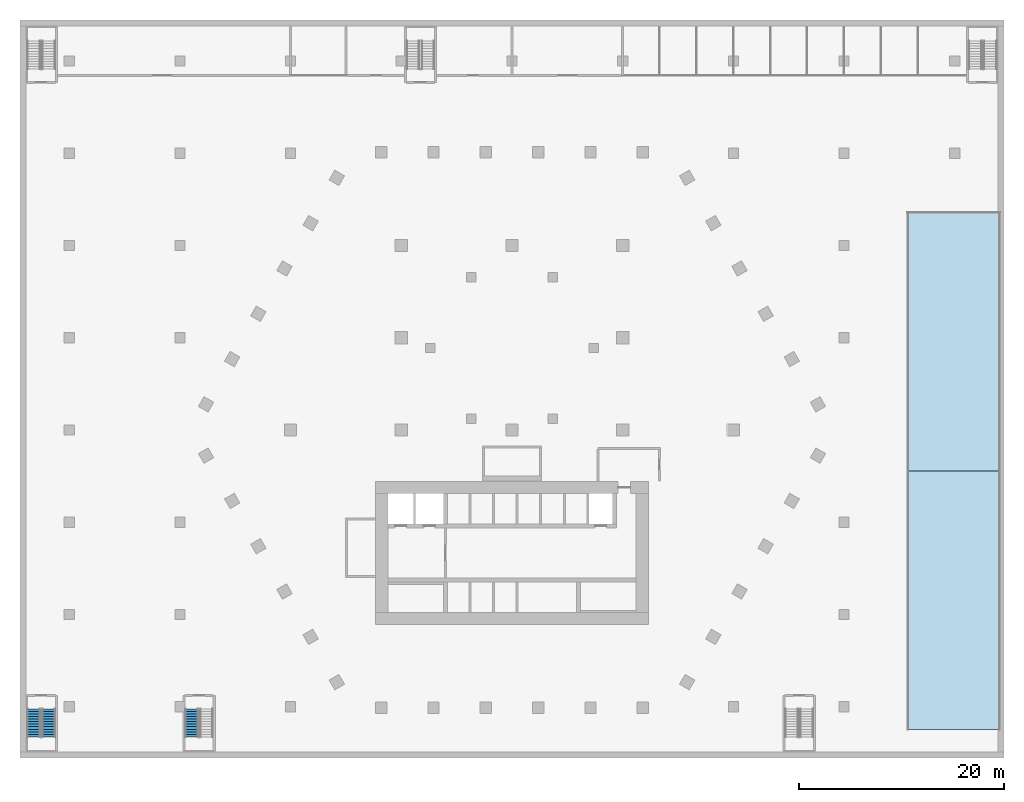
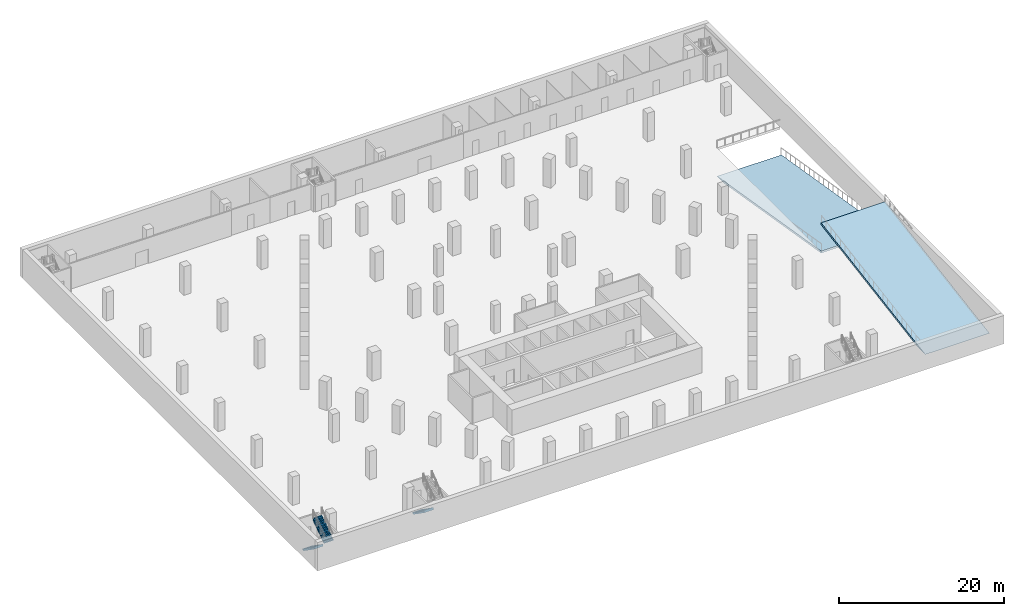
# One storey, part 11 of 20: 3 stair flights, 2 slabs, 2 elements without a shape of their own.
"""IFC4 building model written with IfcOpenShell, lengths in metres."""

from ifc_helpers import new_model, si_unit, direction, frame, origin, place, context, subcontext, project, spatial, triangles, material, layer, layer_set, type_object, element, aggregate, save


model = new_model("IFC4")

# Units and contexts
model_context = context("Model", 3, precision=1e-05, world=origin(), true_north=direction((0.0, 1.0)))
body_context = subcontext(model_context, "Body", "Model", "MODEL_VIEW")
ifc_project = project(units=[si_unit("LENGTHUNIT", "METRE"), si_unit("AREAUNIT", "SQUARE_METRE"), si_unit("VOLUMEUNIT", "CUBIC_METRE"), si_unit("PLANEANGLEUNIT", "RADIAN"), si_unit("MASSUNIT", "GRAM", prefix="KILO")], contexts=[model_context])

# Site, building, storey
site_placement = place(None, origin())
site = spatial("IfcSite", under=ifc_project, at=site_placement, CompositionType="ELEMENT")
building_placement = place(site_placement, origin())
building = spatial("IfcBuilding", under=site, at=building_placement, Name="Beryl Residences", CompositionType="ELEMENT")
storey_placement = place(building_placement, frame((0.0, 0.0, -4.199951171875)))
storey = spatial("IfcBuildingStorey", under=building, at=storey_placement, Name="B1", CompositionType="ELEMENT", Elevation=-4.199951171875)

# Slabs
ifc_material_1 = material(Name="Concrete C40/50", Category="concrete")
ifc_layer = layer(ifc_material_1, 0.300048828125)
ifc_layer_set = layer_set([ifc_layer], Name="RS1 vehicle ramp slab 300 mm C40/50")
slab_type = type_object("IfcSlabType", Name="RS1 vehicle ramp slab 300 mm C40/50", PredefinedType="FLOOR", material=ifc_layer_set)
for number, where, z_axis, x_axis, name in (
    (1, (43.10009765625, -4.0, 4.199951171875), (0.0, 0.0, 1.0), (0.0, -1.0, 0.0), "B1 vehicle ramp slab RA"),
    (2, (43.10009765625, -4.0, 0.0), (0.0, 0.0, 1.0), (0.0, 1.0, 0.0), "B1 vehicle ramp slab RB"),
):
    element("IfcSlab", number, at=place(storey_placement, frame(where, z_axis=z_axis, x_axis=x_axis)), inside=storey, type_object=slab_type, Name=name, PredefinedType="FLOOR", context=body_context, shape_type="Tessellation", body=[
        triangles([(0.0, -4.5, 0.0), (0.0, -2.25, 0.0), (0.0, 0.0, 0.0), (0.0, 2.25, 0.0), (0.0, 4.5, 0.0), (25.199951171875, -4.5, -4.199951171875), (25.199951171875, -2.25, -4.199951171875), (25.199951171875, 0.0, -4.199951171875), (25.199951171875, 2.25, -4.199951171875), (25.199951171875, 4.5, -4.199951171875), (23.399658203125, -4.5, -4.199951171875), (23.399658203125, -2.25, -4.199951171875), (23.399658203125, 0.0, -4.199951171875), (23.399658203125, 2.25, -4.199951171875), (23.399658203125, 4.5, -4.199951171875), (0.0, -4.5, -0.300048828125), (0.0, -2.25, -0.300048828125), (0.0, 0.0, -0.300048828125), (0.0, 2.25, -0.300048828125), (0.0, 4.5, -0.300048828125)], [[1, 6, 7], [1, 7, 2], [2, 7, 8], [2, 8, 3], [3, 8, 9], [3, 9, 4], [4, 9, 10], [4, 10, 5], [6, 11, 12], [6, 12, 7], [7, 12, 13], [7, 13, 8], [8, 13, 14], [8, 14, 9], [9, 14, 15], [9, 15, 10], [11, 16, 17], [11, 17, 12], [12, 17, 18], [12, 18, 13], [13, 18, 19], [13, 19, 14], [14, 19, 20], [14, 20, 15], [16, 1, 2], [16, 2, 17], [17, 2, 3], [17, 3, 18], [18, 3, 4], [18, 4, 19], [19, 4, 5], [19, 5, 20], [1, 16, 11], [5, 15, 20], [11, 6, 1], [15, 5, 10]], closed=True),
    ])

# Stair, stair flights
ifc_material_2 = material(Name="Concrete C40/50", Category="concrete")
stair_type = type_object("IfcStairType", Name="ST1 protected exit stair, half-turn, 1300 mm flights", PredefinedType="HALF_TURN_STAIR", material=ifc_material_2)
stair_1_placement = place(storey_placement, origin())
stair_1 = element("IfcStair", 3, at=stair_1_placement, inside=storey, type_object=stair_type, Name="B1 Basement exit stair 4", PredefinedType="HALF_TURN_STAIR")
ifc_material_3 = material(Name="Concrete C40/50", Category="concrete")
stair_flight_type = type_object("IfcStairFlightType", Name="SF1 stair flight 1300 mm", PredefinedType="STRAIGHT", material=ifc_material_3)
stair_flight_1_placement = place(storey_placement, frame((-46.64990234375, -27.199951171875, 0.0), z_axis=(0.0, 0.0, 1.0), x_axis=(0.0, -1.0, 0.0)))
stair_flight_1 = element("IfcStairFlight", 4, at=stair_flight_1_placement, type_object=stair_flight_type, Name="BS-4 flight 1", NumberOfRisers=12, NumberOfTreads=11, PredefinedType="STRAIGHT", RiserHeight=0.175, TreadLength=0.25, context=body_context, shape_type="Tessellation", body=[
    triangles([(0.0, -0.64990234375, 0.0), (0.0, -0.324951171875, 0.0), (0.0, 0.0, 0.0), (0.0, 0.324951171875, 0.0), (0.0, 0.64990234375, 0.0), (0.0, -0.64990234375, 0.175048828125), (0.0, -0.324951171875, 0.175048828125), (0.0, 0.0, 0.175048828125), (0.0, 0.324951171875, 0.175048828125), (0.0, 0.64990234375, 0.175048828125), (0.25, -0.64990234375, 0.175048828125), (0.25, -0.324951171875, 0.175048828125), (0.25, 0.0, 0.175048828125), (0.25, 0.324951171875, 0.175048828125), (0.25, 0.64990234375, 0.175048828125), (0.25, -0.64990234375, 0.35009765625), (0.25, -0.324951171875, 0.35009765625), (0.25, 0.0, 0.35009765625), (0.25, 0.324951171875, 0.35009765625), (0.25, 0.64990234375, 0.35009765625), (0.5, -0.64990234375, 0.35009765625), (0.5, -0.324951171875, 0.35009765625), (0.5, 0.0, 0.35009765625), (0.5, 0.324951171875, 0.35009765625), (0.5, 0.64990234375, 0.35009765625), (0.5, -0.64990234375, 0.52490234375), (0.5, -0.324951171875, 0.52490234375), (0.5, 0.0, 0.52490234375), (0.5, 0.324951171875, 0.52490234375), (0.5, 0.64990234375, 0.52490234375), (0.75, -0.64990234375, 0.52490234375), (0.75, -0.324951171875, 0.52490234375), (0.75, 0.0, 0.52490234375), (0.75, 0.324951171875, 0.52490234375), (0.75, 0.64990234375, 0.52490234375), (0.75, -0.64990234375, 0.699951171875), (0.75, -0.324951171875, 0.699951171875), (0.75, 0.0, 0.699951171875), (0.75, 0.324951171875, 0.699951171875), (0.75, 0.64990234375, 0.699951171875), (1.0, -0.64990234375, 0.699951171875), (1.0, -0.324951171875, 0.699951171875), (1.0, 0.0, 0.699951171875), (1.0, 0.324951171875, 0.699951171875), (1.0, 0.64990234375, 0.699951171875), (1.0, -0.64990234375, 0.875), (1.0, -0.324951171875, 0.875), (1.0, 0.0, 0.875), (1.0, 0.324951171875, 0.875), (1.0, 0.64990234375, 0.875), (1.25, -0.64990234375, 0.875), (1.25, -0.324951171875, 0.875), (1.25, 0.0, 0.875), (1.25, 0.324951171875, 0.875), (1.25, 0.64990234375, 0.875), (1.25, -0.64990234375, 1.050048828125), (1.25, -0.324951171875, 1.050048828125), (1.25, 0.0, 1.050048828125), (1.25, 0.324951171875, 1.050048828125), (1.25, 0.64990234375, 1.050048828125), (1.5, -0.64990234375, 1.050048828125), (1.5, -0.324951171875, 1.050048828125), (1.5, 0.0, 1.050048828125), (1.5, 0.324951171875, 1.050048828125), (1.5, 0.64990234375, 1.050048828125), (1.5, -0.64990234375, 1.22509765625), (1.5, -0.324951171875, 1.22509765625), (1.5, 0.0, 1.22509765625), (1.5, 0.324951171875, 1.22509765625), (1.5, 0.64990234375, 1.22509765625), (1.75, -0.64990234375, 1.22509765625), (1.75, -0.324951171875, 1.22509765625), (1.75, 0.0, 1.22509765625), (1.75, 0.324951171875, 1.22509765625), (1.75, 0.64990234375, 1.22509765625), (1.75, -0.64990234375, 1.39990234375), (1.75, -0.324951171875, 1.39990234375), (1.75, 0.0, 1.39990234375), (1.75, 0.324951171875, 1.39990234375), (1.75, 0.64990234375, 1.39990234375), (2.0, -0.64990234375, 1.39990234375), (2.0, -0.324951171875, 1.39990234375), (2.0, 0.0, 1.39990234375), (2.0, 0.324951171875, 1.39990234375), (2.0, 0.64990234375, 1.39990234375), (2.0, -0.64990234375, 1.574951171875), (2.0, -0.324951171875, 1.574951171875), (2.0, 0.0, 1.574951171875), (2.0, 0.324951171875, 1.574951171875), (2.0, 0.64990234375, 1.574951171875), (2.25, -0.64990234375, 1.574951171875), (2.25, -0.324951171875, 1.574951171875), (2.25, 0.0, 1.574951171875), (2.25, 0.324951171875, 1.574951171875), (2.25, 0.64990234375, 1.574951171875), (2.25, -0.64990234375, 1.75), (2.25, -0.324951171875, 1.75), (2.25, 0.0, 1.75), (2.25, 0.324951171875, 1.75), (2.25, 0.64990234375, 1.75), (2.5, -0.64990234375, 1.75), (2.5, -0.324951171875, 1.75), (2.5, 0.0, 1.75), (2.5, 0.324951171875, 1.75), (2.5, 0.64990234375, 1.75), (2.5, -0.64990234375, 1.925048828125), (2.5, -0.324951171875, 1.925048828125), (2.5, 0.0, 1.925048828125), (2.5, 0.324951171875, 1.925048828125), (2.5, 0.64990234375, 1.925048828125), (2.75, -0.64990234375, 1.925048828125), (2.75, -0.324951171875, 1.925048828125), (2.75, 0.0, 1.925048828125), (2.75, 0.324951171875, 1.925048828125), (2.75, 0.64990234375, 1.925048828125), (2.75, -0.64990234375, 2.10009765625), (2.75, -0.324951171875, 2.10009765625), (2.75, 0.0, 2.10009765625), (2.75, 0.324951171875, 2.10009765625), (2.75, 0.64990234375, 2.10009765625), (2.7509765625, -0.64990234375, 2.10009765625), (2.7509765625, -0.324951171875, 2.10009765625), (2.7509765625, 0.0, 2.10009765625), (2.7509765625, 0.324951171875, 2.10009765625), (2.7509765625, 0.64990234375, 2.10009765625), (2.7509765625, -0.64990234375, 1.741943359375), (2.7509765625, -0.324951171875, 1.741943359375), (2.7509765625, 0.0, 1.741943359375), (2.7509765625, 0.324951171875, 1.741943359375), (2.7509765625, 0.64990234375, 1.741943359375), (0.262451171875, -0.64990234375, 0.0), (0.262451171875, -0.324951171875, 0.0), (0.262451171875, 0.0, 0.0), (0.262451171875, 0.324951171875, 0.0), (0.262451171875, 0.64990234375, 0.0)], [[1, 6, 7], [1, 7, 2], [2, 7, 8], [2, 8, 3], [3, 8, 9], [3, 9, 4], [4, 9, 10], [4, 10, 5], [6, 11, 12], [6, 12, 7], [7, 12, 13], [7, 13, 8], [8, 13, 14], [8, 14, 9], [9, 14, 15], [9, 15, 10], [11, 16, 17], [11, 17, 12], [12, 17, 18], [12, 18, 13], [13, 18, 19], [13, 19, 14], [14, 19, 20], [14, 20, 15], [16, 21, 22], [16, 22, 17], [17, 22, 23], [17, 23, 18], [18, 23, 24], [18, 24, 19], [19, 24, 25], [19, 25, 20], [21, 26, 27], [21, 27, 22], [22, 27, 28], [22, 28, 23], [23, 28, 29], [23, 29, 24], [24, 29, 30], [24, 30, 25], [26, 31, 32], [26, 32, 27], [27, 32, 33], [27, 33, 28], [28, 33, 34], [28, 34, 29], [29, 34, 35], [29, 35, 30], [31, 36, 37], [31, 37, 32], [32, 37, 38], [32, 38, 33], [33, 38, 39], [33, 39, 34], [34, 39, 40], [34, 40, 35], [36, 41, 42], [36, 42, 37], [37, 42, 43], [37, 43, 38], [38, 43, 44], [38, 44, 39], [39, 44, 45], [39, 45, 40], [41, 46, 47], [41, 47, 42], [42, 47, 48], [42, 48, 43], [43, 48, 49], [43, 49, 44], [44, 49, 50], [44, 50, 45], [46, 51, 52], [46, 52, 47], [47, 52, 53], [47, 53, 48], [48, 53, 54], [48, 54, 49], [49, 54, 55], [49, 55, 50], [51, 56, 57], [51, 57, 52], [52, 57, 58], [52, 58, 53], [53, 58, 59], [53, 59, 54], [54, 59, 60], [54, 60, 55], [56, 61, 62], [56, 62, 57], [57, 62, 63], [57, 63, 58], [58, 63, 64], [58, 64, 59], [59, 64, 65], [59, 65, 60], [61, 66, 67], [61, 67, 62], [62, 67, 68], [62, 68, 63], [63, 68, 69], [63, 69, 64], [64, 69, 70], [64, 70, 65], [66, 71, 72], [66, 72, 67], [67, 72, 73], [67, 73, 68], [68, 73, 74], [68, 74, 69], [69, 74, 75], [69, 75, 70], [71, 76, 77], [71, 77, 72], [72, 77, 78], [72, 78, 73], [73, 78, 79], [73, 79, 74], [74, 79, 80], [74, 80, 75], [76, 81, 82], [76, 82, 77], [77, 82, 83], [77, 83, 78], [78, 83, 84], [78, 84, 79], [79, 84, 85], [79, 85, 80], [81, 86, 87], [81, 87, 82], [82, 87, 88], [82, 88, 83], [83, 88, 89], [83, 89, 84], [84, 89, 90], [84, 90, 85], [86, 91, 92], [86, 92, 87], [87, 92, 93], [87, 93, 88], [88, 93, 94], [88, 94, 89], [89, 94, 95], [89, 95, 90], [91, 96, 97], [91, 97, 92], [92, 97, 98], [92, 98, 93], [93, 98, 99], [93, 99, 94], [94, 99, 100], [94, 100, 95], [96, 101, 102], [96, 102, 97], [97, 102, 103], [97, 103, 98], [98, 103, 104], [98, 104, 99], [99, 104, 105], [99, 105, 100], [101, 106, 107], [101, 107, 102], [102, 107, 108], [102, 108, 103], [103, 108, 109], [103, 109, 104], [104, 109, 110], [104, 110, 105], [106, 111, 112], [106, 112, 107], [107, 112, 113], [107, 113, 108], [108, 113, 114], [108, 114, 109], [109, 114, 115], [109, 115, 110], [111, 116, 117], [111, 117, 112], [112, 117, 118], [112, 118, 113], [113, 118, 119], [113, 119, 114], [114, 119, 120], [114, 120, 115], [116, 121, 122], [116, 122, 117], [117, 122, 123], [117, 123, 118], [118, 123, 124], [118, 124, 119], [119, 124, 125], [119, 125, 120], [121, 126, 127], [121, 127, 122], [122, 127, 128], [122, 128, 123], [123, 128, 129], [123, 129, 124], [124, 129, 130], [124, 130, 125], [126, 131, 132], [126, 132, 127], [127, 132, 133], [127, 133, 128], [128, 133, 134], [128, 134, 129], [129, 134, 135], [129, 135, 130], [131, 1, 2], [131, 2, 132], [132, 2, 3], [132, 3, 133], [133, 3, 4], [133, 4, 134], [134, 4, 5], [134, 5, 135], [1, 131, 126], [5, 130, 135], [126, 121, 116], [130, 120, 125], [126, 116, 111], [130, 115, 120], [126, 111, 106], [130, 110, 115], [126, 106, 101], [130, 105, 110], [126, 101, 96], [130, 100, 105], [126, 96, 91], [130, 95, 100], [91, 86, 81], [95, 85, 90], [126, 91, 81], [130, 85, 95], [81, 76, 71], [85, 75, 80], [126, 81, 71], [130, 75, 85], [71, 66, 61], [75, 65, 70], [126, 71, 61], [130, 65, 75], [61, 56, 51], [65, 55, 60], [126, 61, 51], [130, 55, 65], [51, 46, 41], [55, 45, 50], [126, 51, 41], [130, 45, 55], [41, 36, 31], [45, 35, 40], [126, 41, 31], [130, 35, 45], [1, 126, 31], [5, 35, 130], [31, 26, 21], [35, 25, 30], [21, 16, 11], [25, 15, 20], [31, 21, 11], [35, 15, 25], [1, 31, 11], [5, 15, 35], [11, 6, 1], [15, 5, 10]], closed=True),
])
stair_flight_2_placement = place(storey_placement, frame((-45.199951171875, -29.949951171875, 2.099853515625), z_axis=(0.0, 0.0, 1.0), x_axis=(0.0, 1.0, 0.0)))
stair_flight_2 = element("IfcStairFlight", 5, at=stair_flight_2_placement, type_object=stair_flight_type, Name="BS-4 flight 2", NumberOfRisers=12, NumberOfTreads=11, PredefinedType="STRAIGHT", RiserHeight=0.175, TreadLength=0.25, context=body_context, shape_type="Tessellation", body=[
    triangles([(0.0, -0.64990234375, 0.0), (0.0, -0.324951171875, 0.0), (0.0, 0.0, 0.0), (0.0, 0.324951171875, 0.0), (0.0, 0.64990234375, 0.0), (0.0, -0.64990234375, 0.175048828125), (0.0, -0.324951171875, 0.175048828125), (0.0, 0.0, 0.175048828125), (0.0, 0.324951171875, 0.175048828125), (0.0, 0.64990234375, 0.175048828125), (0.25, -0.64990234375, 0.175048828125), (0.25, -0.324951171875, 0.175048828125), (0.25, 0.0, 0.175048828125), (0.25, 0.324951171875, 0.175048828125), (0.25, 0.64990234375, 0.175048828125), (0.25, -0.64990234375, 0.35009765625), (0.25, -0.324951171875, 0.35009765625), (0.25, 0.0, 0.35009765625), (0.25, 0.324951171875, 0.35009765625), (0.25, 0.64990234375, 0.35009765625), (0.5, -0.64990234375, 0.35009765625), (0.5, -0.324951171875, 0.35009765625), (0.5, 0.0, 0.35009765625), (0.5, 0.324951171875, 0.35009765625), (0.5, 0.64990234375, 0.35009765625), (0.5, -0.64990234375, 0.52490234375), (0.5, -0.324951171875, 0.52490234375), (0.5, 0.0, 0.52490234375), (0.5, 0.324951171875, 0.52490234375), (0.5, 0.64990234375, 0.52490234375), (0.75, -0.64990234375, 0.52490234375), (0.75, -0.324951171875, 0.52490234375), (0.75, 0.0, 0.52490234375), (0.75, 0.324951171875, 0.52490234375), (0.75, 0.64990234375, 0.52490234375), (0.75, -0.64990234375, 0.699951171875), (0.75, -0.324951171875, 0.699951171875), (0.75, 0.0, 0.699951171875), (0.75, 0.324951171875, 0.699951171875), (0.75, 0.64990234375, 0.699951171875), (1.0, -0.64990234375, 0.699951171875), (1.0, -0.324951171875, 0.699951171875), (1.0, 0.0, 0.699951171875), (1.0, 0.324951171875, 0.699951171875), (1.0, 0.64990234375, 0.699951171875), (1.0, -0.64990234375, 0.875), (1.0, -0.324951171875, 0.875), (1.0, 0.0, 0.875), (1.0, 0.324951171875, 0.875), (1.0, 0.64990234375, 0.875), (1.25, -0.64990234375, 0.875), (1.25, -0.324951171875, 0.875), (1.25, 0.0, 0.875), (1.25, 0.324951171875, 0.875), (1.25, 0.64990234375, 0.875), (1.25, -0.64990234375, 1.050048828125), (1.25, -0.324951171875, 1.050048828125), (1.25, 0.0, 1.050048828125), (1.25, 0.324951171875, 1.050048828125), (1.25, 0.64990234375, 1.050048828125), (1.5, -0.64990234375, 1.050048828125), (1.5, -0.324951171875, 1.050048828125), (1.5, 0.0, 1.050048828125), (1.5, 0.324951171875, 1.050048828125), (1.5, 0.64990234375, 1.050048828125), (1.5, -0.64990234375, 1.22509765625), (1.5, -0.324951171875, 1.22509765625), (1.5, 0.0, 1.22509765625), (1.5, 0.324951171875, 1.22509765625), (1.5, 0.64990234375, 1.22509765625), (1.75, -0.64990234375, 1.22509765625), (1.75, -0.324951171875, 1.22509765625), (1.75, 0.0, 1.22509765625), (1.75, 0.324951171875, 1.22509765625), (1.75, 0.64990234375, 1.22509765625), (1.75, -0.64990234375, 1.39990234375), (1.75, -0.324951171875, 1.39990234375), (1.75, 0.0, 1.39990234375), (1.75, 0.324951171875, 1.39990234375), (1.75, 0.64990234375, 1.39990234375), (2.0, -0.64990234375, 1.39990234375), (2.0, -0.324951171875, 1.39990234375), (2.0, 0.0, 1.39990234375), (2.0, 0.324951171875, 1.39990234375), (2.0, 0.64990234375, 1.39990234375), (2.0, -0.64990234375, 1.574951171875), (2.0, -0.324951171875, 1.574951171875), (2.0, 0.0, 1.574951171875), (2.0, 0.324951171875, 1.574951171875), (2.0, 0.64990234375, 1.574951171875), (2.25, -0.64990234375, 1.574951171875), (2.25, -0.324951171875, 1.574951171875), (2.25, 0.0, 1.574951171875), (2.25, 0.324951171875, 1.574951171875), (2.25, 0.64990234375, 1.574951171875), (2.25, -0.64990234375, 1.75), (2.25, -0.324951171875, 1.75), (2.25, 0.0, 1.75), (2.25, 0.324951171875, 1.75), (2.25, 0.64990234375, 1.75), (2.5, -0.64990234375, 1.75), (2.5, -0.324951171875, 1.75), (2.5, 0.0, 1.75), (2.5, 0.324951171875, 1.75), (2.5, 0.64990234375, 1.75), (2.5, -0.64990234375, 1.925048828125), (2.5, -0.324951171875, 1.925048828125), (2.5, 0.0, 1.925048828125), (2.5, 0.324951171875, 1.925048828125), (2.5, 0.64990234375, 1.925048828125), (2.75, -0.64990234375, 1.925048828125), (2.75, -0.324951171875, 1.925048828125), (2.75, 0.0, 1.925048828125), (2.75, 0.324951171875, 1.925048828125), (2.75, 0.64990234375, 1.925048828125), (2.75, -0.64990234375, 2.10009765625), (2.75, -0.324951171875, 2.10009765625), (2.75, 0.0, 2.10009765625), (2.75, 0.324951171875, 2.10009765625), (2.75, 0.64990234375, 2.10009765625), (2.7509765625, -0.64990234375, 2.10009765625), (2.7509765625, -0.324951171875, 2.10009765625), (2.7509765625, 0.0, 2.10009765625), (2.7509765625, 0.324951171875, 2.10009765625), (2.7509765625, 0.64990234375, 2.10009765625), (2.7509765625, -0.64990234375, 1.741943359375), (2.7509765625, -0.324951171875, 1.741943359375), (2.7509765625, 0.0, 1.741943359375), (2.7509765625, 0.324951171875, 1.741943359375), (2.7509765625, 0.64990234375, 1.741943359375), (0.262451171875, -0.64990234375, 0.0), (0.262451171875, -0.324951171875, 0.0), (0.262451171875, 0.0, 0.0), (0.262451171875, 0.324951171875, 0.0), (0.262451171875, 0.64990234375, 0.0)], [[1, 6, 7], [1, 7, 2], [2, 7, 8], [2, 8, 3], [3, 8, 9], [3, 9, 4], [4, 9, 10], [4, 10, 5], [6, 11, 12], [6, 12, 7], [7, 12, 13], [7, 13, 8], [8, 13, 14], [8, 14, 9], [9, 14, 15], [9, 15, 10], [11, 16, 17], [11, 17, 12], [12, 17, 18], [12, 18, 13], [13, 18, 19], [13, 19, 14], [14, 19, 20], [14, 20, 15], [16, 21, 22], [16, 22, 17], [17, 22, 23], [17, 23, 18], [18, 23, 24], [18, 24, 19], [19, 24, 25], [19, 25, 20], [21, 26, 27], [21, 27, 22], [22, 27, 28], [22, 28, 23], [23, 28, 29], [23, 29, 24], [24, 29, 30], [24, 30, 25], [26, 31, 32], [26, 32, 27], [27, 32, 33], [27, 33, 28], [28, 33, 34], [28, 34, 29], [29, 34, 35], [29, 35, 30], [31, 36, 37], [31, 37, 32], [32, 37, 38], [32, 38, 33], [33, 38, 39], [33, 39, 34], [34, 39, 40], [34, 40, 35], [36, 41, 42], [36, 42, 37], [37, 42, 43], [37, 43, 38], [38, 43, 44], [38, 44, 39], [39, 44, 45], [39, 45, 40], [41, 46, 47], [41, 47, 42], [42, 47, 48], [42, 48, 43], [43, 48, 49], [43, 49, 44], [44, 49, 50], [44, 50, 45], [46, 51, 52], [46, 52, 47], [47, 52, 53], [47, 53, 48], [48, 53, 54], [48, 54, 49], [49, 54, 55], [49, 55, 50], [51, 56, 57], [51, 57, 52], [52, 57, 58], [52, 58, 53], [53, 58, 59], [53, 59, 54], [54, 59, 60], [54, 60, 55], [56, 61, 62], [56, 62, 57], [57, 62, 63], [57, 63, 58], [58, 63, 64], [58, 64, 59], [59, 64, 65], [59, 65, 60], [61, 66, 67], [61, 67, 62], [62, 67, 68], [62, 68, 63], [63, 68, 69], [63, 69, 64], [64, 69, 70], [64, 70, 65], [66, 71, 72], [66, 72, 67], [67, 72, 73], [67, 73, 68], [68, 73, 74], [68, 74, 69], [69, 74, 75], [69, 75, 70], [71, 76, 77], [71, 77, 72], [72, 77, 78], [72, 78, 73], [73, 78, 79], [73, 79, 74], [74, 79, 80], [74, 80, 75], [76, 81, 82], [76, 82, 77], [77, 82, 83], [77, 83, 78], [78, 83, 84], [78, 84, 79], [79, 84, 85], [79, 85, 80], [81, 86, 87], [81, 87, 82], [82, 87, 88], [82, 88, 83], [83, 88, 89], [83, 89, 84], [84, 89, 90], [84, 90, 85], [86, 91, 92], [86, 92, 87], [87, 92, 93], [87, 93, 88], [88, 93, 94], [88, 94, 89], [89, 94, 95], [89, 95, 90], [91, 96, 97], [91, 97, 92], [92, 97, 98], [92, 98, 93], [93, 98, 99], [93, 99, 94], [94, 99, 100], [94, 100, 95], [96, 101, 102], [96, 102, 97], [97, 102, 103], [97, 103, 98], [98, 103, 104], [98, 104, 99], [99, 104, 105], [99, 105, 100], [101, 106, 107], [101, 107, 102], [102, 107, 108], [102, 108, 103], [103, 108, 109], [103, 109, 104], [104, 109, 110], [104, 110, 105], [106, 111, 112], [106, 112, 107], [107, 112, 113], [107, 113, 108], [108, 113, 114], [108, 114, 109], [109, 114, 115], [109, 115, 110], [111, 116, 117], [111, 117, 112], [112, 117, 118], [112, 118, 113], [113, 118, 119], [113, 119, 114], [114, 119, 120], [114, 120, 115], [116, 121, 122], [116, 122, 117], [117, 122, 123], [117, 123, 118], [118, 123, 124], [118, 124, 119], [119, 124, 125], [119, 125, 120], [121, 126, 127], [121, 127, 122], [122, 127, 128], [122, 128, 123], [123, 128, 129], [123, 129, 124], [124, 129, 130], [124, 130, 125], [126, 131, 132], [126, 132, 127], [127, 132, 133], [127, 133, 128], [128, 133, 134], [128, 134, 129], [129, 134, 135], [129, 135, 130], [131, 1, 2], [131, 2, 132], [132, 2, 3], [132, 3, 133], [133, 3, 4], [133, 4, 134], [134, 4, 5], [134, 5, 135], [1, 131, 126], [5, 130, 135], [126, 121, 116], [130, 120, 125], [126, 116, 111], [130, 115, 120], [126, 111, 106], [130, 110, 115], [126, 106, 101], [130, 105, 110], [126, 101, 96], [130, 100, 105], [126, 96, 91], [130, 95, 100], [91, 86, 81], [95, 85, 90], [126, 91, 81], [130, 85, 95], [81, 76, 71], [85, 75, 80], [126, 81, 71], [130, 75, 85], [71, 66, 61], [75, 65, 70], [126, 71, 61], [130, 65, 75], [61, 56, 51], [65, 55, 60], [126, 61, 51], [130, 55, 65], [51, 46, 41], [55, 45, 50], [126, 51, 41], [130, 45, 55], [41, 36, 31], [45, 35, 40], [126, 41, 31], [130, 35, 45], [1, 126, 31], [5, 35, 130], [31, 26, 21], [35, 25, 30], [21, 16, 11], [25, 15, 20], [31, 21, 11], [35, 15, 25], [1, 31, 11], [5, 15, 35], [11, 6, 1], [15, 5, 10]], closed=True),
])
aggregate(stair_1, [stair_flight_1, stair_flight_2])

# Stair, stair flight
stair_2_placement = place(storey_placement, origin())
stair_2 = element("IfcStair", 6, at=stair_2_placement, inside=storey, type_object=stair_type, Name="B1 Basement exit stair 5", PredefinedType="HALF_TURN_STAIR")
stair_flight_3_placement = place(storey_placement, frame((-31.25, -27.199951171875, 0.0), z_axis=(0.0, 0.0, 1.0), x_axis=(0.0, -1.0, 0.0)))
stair_flight_3 = element("IfcStairFlight", 7, at=stair_flight_3_placement, type_object=stair_flight_type, Name="BS-5 flight 1", NumberOfRisers=12, NumberOfTreads=11, PredefinedType="STRAIGHT", RiserHeight=0.175, TreadLength=0.25, context=body_context, shape_type="Tessellation", body=[
    triangles([(0.0, -0.64990234375, 0.0), (0.0, -0.324951171875, 0.0), (0.0, 0.0, 0.0), (0.0, 0.324951171875, 0.0), (0.0, 0.64990234375, 0.0), (0.0, -0.64990234375, 0.175048828125), (0.0, -0.324951171875, 0.175048828125), (0.0, 0.0, 0.175048828125), (0.0, 0.324951171875, 0.175048828125), (0.0, 0.64990234375, 0.175048828125), (0.25, -0.64990234375, 0.175048828125), (0.25, -0.324951171875, 0.175048828125), (0.25, 0.0, 0.175048828125), (0.25, 0.324951171875, 0.175048828125), (0.25, 0.64990234375, 0.175048828125), (0.25, -0.64990234375, 0.35009765625), (0.25, -0.324951171875, 0.35009765625), (0.25, 0.0, 0.35009765625), (0.25, 0.324951171875, 0.35009765625), (0.25, 0.64990234375, 0.35009765625), (0.5, -0.64990234375, 0.35009765625), (0.5, -0.324951171875, 0.35009765625), (0.5, 0.0, 0.35009765625), (0.5, 0.324951171875, 0.35009765625), (0.5, 0.64990234375, 0.35009765625), (0.5, -0.64990234375, 0.52490234375), (0.5, -0.324951171875, 0.52490234375), (0.5, 0.0, 0.52490234375), (0.5, 0.324951171875, 0.52490234375), (0.5, 0.64990234375, 0.52490234375), (0.75, -0.64990234375, 0.52490234375), (0.75, -0.324951171875, 0.52490234375), (0.75, 0.0, 0.52490234375), (0.75, 0.324951171875, 0.52490234375), (0.75, 0.64990234375, 0.52490234375), (0.75, -0.64990234375, 0.699951171875), (0.75, -0.324951171875, 0.699951171875), (0.75, 0.0, 0.699951171875), (0.75, 0.324951171875, 0.699951171875), (0.75, 0.64990234375, 0.699951171875), (1.0, -0.64990234375, 0.699951171875), (1.0, -0.324951171875, 0.699951171875), (1.0, 0.0, 0.699951171875), (1.0, 0.324951171875, 0.699951171875), (1.0, 0.64990234375, 0.699951171875), (1.0, -0.64990234375, 0.875), (1.0, -0.324951171875, 0.875), (1.0, 0.0, 0.875), (1.0, 0.324951171875, 0.875), (1.0, 0.64990234375, 0.875), (1.25, -0.64990234375, 0.875), (1.25, -0.324951171875, 0.875), (1.25, 0.0, 0.875), (1.25, 0.324951171875, 0.875), (1.25, 0.64990234375, 0.875), (1.25, -0.64990234375, 1.050048828125), (1.25, -0.324951171875, 1.050048828125), (1.25, 0.0, 1.050048828125), (1.25, 0.324951171875, 1.050048828125), (1.25, 0.64990234375, 1.050048828125), (1.5, -0.64990234375, 1.050048828125), (1.5, -0.324951171875, 1.050048828125), (1.5, 0.0, 1.050048828125), (1.5, 0.324951171875, 1.050048828125), (1.5, 0.64990234375, 1.050048828125), (1.5, -0.64990234375, 1.22509765625), (1.5, -0.324951171875, 1.22509765625), (1.5, 0.0, 1.22509765625), (1.5, 0.324951171875, 1.22509765625), (1.5, 0.64990234375, 1.22509765625), (1.75, -0.64990234375, 1.22509765625), (1.75, -0.324951171875, 1.22509765625), (1.75, 0.0, 1.22509765625), (1.75, 0.324951171875, 1.22509765625), (1.75, 0.64990234375, 1.22509765625), (1.75, -0.64990234375, 1.39990234375), (1.75, -0.324951171875, 1.39990234375), (1.75, 0.0, 1.39990234375), (1.75, 0.324951171875, 1.39990234375), (1.75, 0.64990234375, 1.39990234375), (2.0, -0.64990234375, 1.39990234375), (2.0, -0.324951171875, 1.39990234375), (2.0, 0.0, 1.39990234375), (2.0, 0.324951171875, 1.39990234375), (2.0, 0.64990234375, 1.39990234375), (2.0, -0.64990234375, 1.574951171875), (2.0, -0.324951171875, 1.574951171875), (2.0, 0.0, 1.574951171875), (2.0, 0.324951171875, 1.574951171875), (2.0, 0.64990234375, 1.574951171875), (2.25, -0.64990234375, 1.574951171875), (2.25, -0.324951171875, 1.574951171875), (2.25, 0.0, 1.574951171875), (2.25, 0.324951171875, 1.574951171875), (2.25, 0.64990234375, 1.574951171875), (2.25, -0.64990234375, 1.75), (2.25, -0.324951171875, 1.75), (2.25, 0.0, 1.75), (2.25, 0.324951171875, 1.75), (2.25, 0.64990234375, 1.75), (2.5, -0.64990234375, 1.75), (2.5, -0.324951171875, 1.75), (2.5, 0.0, 1.75), (2.5, 0.324951171875, 1.75), (2.5, 0.64990234375, 1.75), (2.5, -0.64990234375, 1.925048828125), (2.5, -0.324951171875, 1.925048828125), (2.5, 0.0, 1.925048828125), (2.5, 0.324951171875, 1.925048828125), (2.5, 0.64990234375, 1.925048828125), (2.75, -0.64990234375, 1.925048828125), (2.75, -0.324951171875, 1.925048828125), (2.75, 0.0, 1.925048828125), (2.75, 0.324951171875, 1.925048828125), (2.75, 0.64990234375, 1.925048828125), (2.75, -0.64990234375, 2.10009765625), (2.75, -0.324951171875, 2.10009765625), (2.75, 0.0, 2.10009765625), (2.75, 0.324951171875, 2.10009765625), (2.75, 0.64990234375, 2.10009765625), (2.7509765625, -0.64990234375, 2.10009765625), (2.7509765625, -0.324951171875, 2.10009765625), (2.7509765625, 0.0, 2.10009765625), (2.7509765625, 0.324951171875, 2.10009765625), (2.7509765625, 0.64990234375, 2.10009765625), (2.7509765625, -0.64990234375, 1.741943359375), (2.7509765625, -0.324951171875, 1.741943359375), (2.7509765625, 0.0, 1.741943359375), (2.7509765625, 0.324951171875, 1.741943359375), (2.7509765625, 0.64990234375, 1.741943359375), (0.262451171875, -0.64990234375, 0.0), (0.262451171875, -0.324951171875, 0.0), (0.262451171875, 0.0, 0.0), (0.262451171875, 0.324951171875, 0.0), (0.262451171875, 0.64990234375, 0.0)], [[1, 6, 7], [1, 7, 2], [2, 7, 8], [2, 8, 3], [3, 8, 9], [3, 9, 4], [4, 9, 10], [4, 10, 5], [6, 11, 12], [6, 12, 7], [7, 12, 13], [7, 13, 8], [8, 13, 14], [8, 14, 9], [9, 14, 15], [9, 15, 10], [11, 16, 17], [11, 17, 12], [12, 17, 18], [12, 18, 13], [13, 18, 19], [13, 19, 14], [14, 19, 20], [14, 20, 15], [16, 21, 22], [16, 22, 17], [17, 22, 23], [17, 23, 18], [18, 23, 24], [18, 24, 19], [19, 24, 25], [19, 25, 20], [21, 26, 27], [21, 27, 22], [22, 27, 28], [22, 28, 23], [23, 28, 29], [23, 29, 24], [24, 29, 30], [24, 30, 25], [26, 31, 32], [26, 32, 27], [27, 32, 33], [27, 33, 28], [28, 33, 34], [28, 34, 29], [29, 34, 35], [29, 35, 30], [31, 36, 37], [31, 37, 32], [32, 37, 38], [32, 38, 33], [33, 38, 39], [33, 39, 34], [34, 39, 40], [34, 40, 35], [36, 41, 42], [36, 42, 37], [37, 42, 43], [37, 43, 38], [38, 43, 44], [38, 44, 39], [39, 44, 45], [39, 45, 40], [41, 46, 47], [41, 47, 42], [42, 47, 48], [42, 48, 43], [43, 48, 49], [43, 49, 44], [44, 49, 50], [44, 50, 45], [46, 51, 52], [46, 52, 47], [47, 52, 53], [47, 53, 48], [48, 53, 54], [48, 54, 49], [49, 54, 55], [49, 55, 50], [51, 56, 57], [51, 57, 52], [52, 57, 58], [52, 58, 53], [53, 58, 59], [53, 59, 54], [54, 59, 60], [54, 60, 55], [56, 61, 62], [56, 62, 57], [57, 62, 63], [57, 63, 58], [58, 63, 64], [58, 64, 59], [59, 64, 65], [59, 65, 60], [61, 66, 67], [61, 67, 62], [62, 67, 68], [62, 68, 63], [63, 68, 69], [63, 69, 64], [64, 69, 70], [64, 70, 65], [66, 71, 72], [66, 72, 67], [67, 72, 73], [67, 73, 68], [68, 73, 74], [68, 74, 69], [69, 74, 75], [69, 75, 70], [71, 76, 77], [71, 77, 72], [72, 77, 78], [72, 78, 73], [73, 78, 79], [73, 79, 74], [74, 79, 80], [74, 80, 75], [76, 81, 82], [76, 82, 77], [77, 82, 83], [77, 83, 78], [78, 83, 84], [78, 84, 79], [79, 84, 85], [79, 85, 80], [81, 86, 87], [81, 87, 82], [82, 87, 88], [82, 88, 83], [83, 88, 89], [83, 89, 84], [84, 89, 90], [84, 90, 85], [86, 91, 92], [86, 92, 87], [87, 92, 93], [87, 93, 88], [88, 93, 94], [88, 94, 89], [89, 94, 95], [89, 95, 90], [91, 96, 97], [91, 97, 92], [92, 97, 98], [92, 98, 93], [93, 98, 99], [93, 99, 94], [94, 99, 100], [94, 100, 95], [96, 101, 102], [96, 102, 97], [97, 102, 103], [97, 103, 98], [98, 103, 104], [98, 104, 99], [99, 104, 105], [99, 105, 100], [101, 106, 107], [101, 107, 102], [102, 107, 108], [102, 108, 103], [103, 108, 109], [103, 109, 104], [104, 109, 110], [104, 110, 105], [106, 111, 112], [106, 112, 107], [107, 112, 113], [107, 113, 108], [108, 113, 114], [108, 114, 109], [109, 114, 115], [109, 115, 110], [111, 116, 117], [111, 117, 112], [112, 117, 118], [112, 118, 113], [113, 118, 119], [113, 119, 114], [114, 119, 120], [114, 120, 115], [116, 121, 122], [116, 122, 117], [117, 122, 123], [117, 123, 118], [118, 123, 124], [118, 124, 119], [119, 124, 125], [119, 125, 120], [121, 126, 127], [121, 127, 122], [122, 127, 128], [122, 128, 123], [123, 128, 129], [123, 129, 124], [124, 129, 130], [124, 130, 125], [126, 131, 132], [126, 132, 127], [127, 132, 133], [127, 133, 128], [128, 133, 134], [128, 134, 129], [129, 134, 135], [129, 135, 130], [131, 1, 2], [131, 2, 132], [132, 2, 3], [132, 3, 133], [133, 3, 4], [133, 4, 134], [134, 4, 5], [134, 5, 135], [1, 131, 126], [5, 130, 135], [126, 121, 116], [130, 120, 125], [126, 116, 111], [130, 115, 120], [126, 111, 106], [130, 110, 115], [126, 106, 101], [130, 105, 110], [126, 101, 96], [130, 100, 105], [126, 96, 91], [130, 95, 100], [91, 86, 81], [95, 85, 90], [126, 91, 81], [130, 85, 95], [81, 76, 71], [85, 75, 80], [126, 81, 71], [130, 75, 85], [71, 66, 61], [75, 65, 70], [126, 71, 61], [130, 65, 75], [61, 56, 51], [65, 55, 60], [126, 61, 51], [130, 55, 65], [51, 46, 41], [55, 45, 50], [126, 51, 41], [130, 45, 55], [41, 36, 31], [45, 35, 40], [126, 41, 31], [130, 35, 45], [1, 126, 31], [5, 35, 130], [31, 26, 21], [35, 25, 30], [21, 16, 11], [25, 15, 20], [31, 21, 11], [35, 15, 25], [1, 31, 11], [5, 15, 35], [11, 6, 1], [15, 5, 10]], closed=True),
])
aggregate(stair_2, [stair_flight_3])

save(model, "model.ifc")
